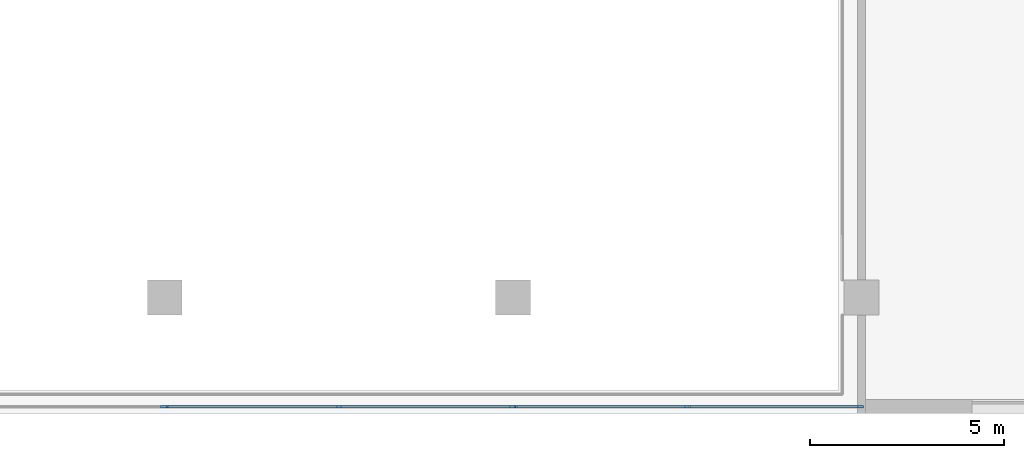
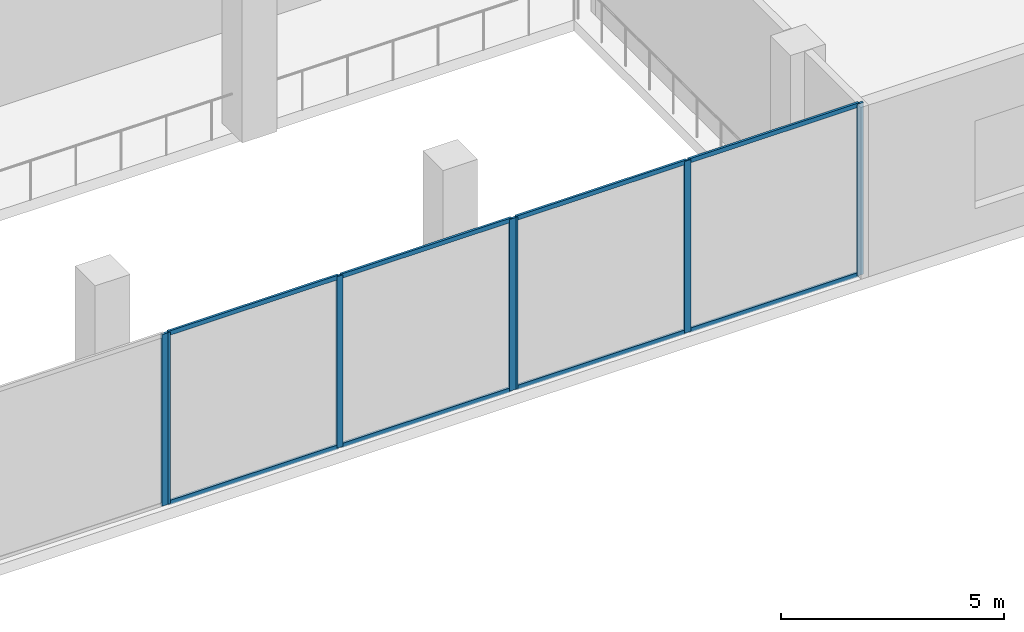
# One storey, part 4 of 23: 15 members, 3 elements without a shape of their own.
"""IFC4 building model written with IfcOpenShell, lengths in metres."""

from ifc_helpers import new_model, si_unit, direction, frame, origin, origin_2d, place, context, subcontext, project, spatial, rectangle, extrude, material, material_profile, profile_set, type_object, element, aggregate, save


model = new_model("IFC4")

# Units and contexts
model_context = context("Model", 3, precision=1e-05, world=origin(), true_north=direction((0.0, 1.0)))
body_context = subcontext(model_context, "Body", "Model", "MODEL_VIEW")
ifc_project = project(units=[si_unit("LENGTHUNIT", "METRE"), si_unit("AREAUNIT", "SQUARE_METRE"), si_unit("VOLUMEUNIT", "CUBIC_METRE"), si_unit("PLANEANGLEUNIT", "RADIAN"), si_unit("MASSUNIT", "GRAM", prefix="KILO")], contexts=[model_context])

# Site, building, storey
site_placement = place(None, origin())
site = spatial("IfcSite", under=ifc_project, at=site_placement, CompositionType="ELEMENT")
building_placement = place(site_placement, origin())
building = spatial("IfcBuilding", under=site, at=building_placement, Name="Cinnabar Reach Civic Tower", CompositionType="ELEMENT")
storey_placement = place(building_placement, frame((0.0, 0.0, 6.0)))
storey = spatial("IfcBuildingStorey", under=building, at=storey_placement, Name="L01", CompositionType="ELEMENT", Elevation=6.0)

# Curtain wall, member
ifc_material_1 = material(Name="Aluminium and clear double glazing", Category="aluminium")
curtain_wall_type = type_object("IfcCurtainWallType", Name="Hall front curtain wall", PredefinedType="NOTDEFINED", material=ifc_material_1)
curtain_wall_1_placement = place(storey_placement, origin())
curtain_wall_1 = element("IfcCurtainWall", 1, at=curtain_wall_1_placement, inside=storey, type_object=curtain_wall_type, Name="Hall front 3", PredefinedType="NOTDEFINED")
ifc_material_2 = material(Name="Aluminium", Category="aluminium")
ifc_material_profile_1 = material_profile(ifc_material_2, rectangle(XDim=0.06, YDim=0.16, at=origin_2d()), Name="Hall front mullion")
ifc_profile_set_1 = profile_set([ifc_material_profile_1], Name="Aluminium")
member_type_1 = type_object("IfcMemberType", Name="Hall front mullion", PredefinedType="MULLION", material=ifc_profile_set_1)
member_1_placement = place(storey_placement, frame((-18.03, -11.82, 0.0), z_axis=(0.0, 0.0, 1.0), x_axis=(0.0, 1.0, 0.0)))
member_1 = element("IfcMember", 2, at=member_1_placement, type_object=member_type_1, Name="CW-HALL-3 mullion 3", PredefinedType="MULLION", context=body_context, shape_type="SweptSolid", body=[
    extrude(rectangle(XDim=0.06, YDim=0.16, at=origin_2d()), origin(), (0.0, 0.0, 1.0), 4.7),
])
aggregate(curtain_wall_1, [member_1])

# Curtain wall, members
curtain_wall_2_placement = place(storey_placement, origin())
curtain_wall_2 = element("IfcCurtainWall", 3, at=curtain_wall_2_placement, inside=storey, type_object=curtain_wall_type, Name="Hall front 4", PredefinedType="NOTDEFINED")
member_2_placement = place(storey_placement, frame((-17.97, -11.82, 0.0), z_axis=(0.0, 0.0, 1.0), x_axis=(0.0, 1.0, 0.0)))
member_2 = element("IfcMember", 4, at=member_2_placement, type_object=member_type_1, Name="CW-HALL-4 mullion 1", PredefinedType="MULLION", context=body_context, shape_type="SweptSolid", body=[
    extrude(rectangle(XDim=0.06, YDim=0.16, at=origin_2d()), origin(), (0.0, 0.0, 1.0), 4.7),
])
member_3_placement = place(storey_placement, frame((-13.5, -11.82, 0.0), z_axis=(0.0, 0.0, 1.0), x_axis=(0.0, 1.0, 0.0)))
member_3 = element("IfcMember", 5, at=member_3_placement, type_object=member_type_1, Name="CW-HALL-4 mullion 2", PredefinedType="MULLION", context=body_context, shape_type="SweptSolid", body=[
    extrude(rectangle(XDim=0.06, YDim=0.16, at=origin_2d()), origin(), (0.0, 0.0, 1.0), 4.7),
])
member_4_placement = place(storey_placement, frame((-9.03, -11.82, 0.0), z_axis=(0.0, 0.0, 1.0), x_axis=(0.0, 1.0, 0.0)))
member_4 = element("IfcMember", 6, at=member_4_placement, type_object=member_type_1, Name="CW-HALL-4 mullion 3", PredefinedType="MULLION", context=body_context, shape_type="SweptSolid", body=[
    extrude(rectangle(XDim=0.06, YDim=0.16, at=origin_2d()), origin(), (0.0, 0.0, 1.0), 4.7),
])

curtain_wall_3_placement = place(storey_placement, origin())
curtain_wall_3 = element("IfcCurtainWall", 7, at=curtain_wall_3_placement, inside=storey, type_object=curtain_wall_type, Name="Hall front 5", PredefinedType="NOTDEFINED")
member_5_placement = place(storey_placement, frame((-8.97, -11.82, 0.0), z_axis=(0.0, 0.0, 1.0), x_axis=(0.0, 1.0, 0.0)))
member_5 = element("IfcMember", 8, at=member_5_placement, type_object=member_type_1, Name="CW-HALL-5 mullion 1", PredefinedType="MULLION", context=body_context, shape_type="SweptSolid", body=[
    extrude(rectangle(XDim=0.06, YDim=0.16, at=origin_2d()), origin(), (0.0, 0.0, 1.0), 4.7),
])
member_6_placement = place(storey_placement, frame((-4.5, -11.82, 0.0), z_axis=(0.0, 0.0, 1.0), x_axis=(0.0, 1.0, 0.0)))
member_6 = element("IfcMember", 9, at=member_6_placement, type_object=member_type_1, Name="CW-HALL-5 mullion 2", PredefinedType="MULLION", context=body_context, shape_type="SweptSolid", body=[
    extrude(rectangle(XDim=0.06, YDim=0.16, at=origin_2d()), origin(), (0.0, 0.0, 1.0), 4.7),
])
member_7_placement = place(storey_placement, frame((-0.03, -11.82, 0.0), z_axis=(0.0, 0.0, 1.0), x_axis=(0.0, 1.0, 0.0)))
member_7 = element("IfcMember", 10, at=member_7_placement, type_object=member_type_1, Name="CW-HALL-5 mullion 3", PredefinedType="MULLION", context=body_context, shape_type="SweptSolid", body=[
    extrude(rectangle(XDim=0.06, YDim=0.16, at=origin_2d()), origin(), (0.0, 0.0, 1.0), 4.7),
])

# Member
ifc_material_profile_2 = material_profile(ifc_material_2, rectangle(XDim=0.06, YDim=0.12, at=origin_2d()), Name="Hall front transom")
ifc_profile_set_2 = profile_set([ifc_material_profile_2], Name="Aluminium")
member_type_2 = type_object("IfcMemberType", Name="Hall front transom", PredefinedType="USERDEFINED", material=ifc_profile_set_2)
member_8_placement = place(storey_placement, frame((-17.94, -11.82, 0.03), z_axis=(1.0, 0.0, 0.0), x_axis=(0.0, 1.0, 0.0)))
member_8 = element("IfcMember", 11, at=member_8_placement, type_object=member_type_2, Name="CW-HALL-4 transom 1.1", ObjectType="TRANSOM", PredefinedType="USERDEFINED", context=body_context, shape_type="SweptSolid", body=[
    extrude(rectangle(XDim=0.06, YDim=0.12, at=origin_2d()), origin(), (0.0, 0.0, 1.0), 4.41),
])

member_9_placement = place(storey_placement, frame((-17.94, -11.82, 4.67), z_axis=(1.0, 0.0, 0.0), x_axis=(0.0, 1.0, 0.0)))
member_9 = element("IfcMember", 12, at=member_9_placement, type_object=member_type_2, Name="CW-HALL-4 transom 1.2", ObjectType="TRANSOM", PredefinedType="USERDEFINED", context=body_context, shape_type="SweptSolid", body=[
    extrude(rectangle(XDim=0.06, YDim=0.12, at=origin_2d()), origin(), (0.0, 0.0, 1.0), 4.41),
])

member_10_placement = place(storey_placement, frame((-13.47, -11.82, 0.03), z_axis=(1.0, 0.0, 0.0), x_axis=(0.0, 1.0, 0.0)))
member_10 = element("IfcMember", 13, at=member_10_placement, type_object=member_type_2, Name="CW-HALL-4 transom 2.1", ObjectType="TRANSOM", PredefinedType="USERDEFINED", context=body_context, shape_type="SweptSolid", body=[
    extrude(rectangle(XDim=0.06, YDim=0.12, at=origin_2d()), origin(), (0.0, 0.0, 1.0), 4.41),
])

member_11_placement = place(storey_placement, frame((-13.47, -11.82, 4.67), z_axis=(1.0, 0.0, 0.0), x_axis=(0.0, 1.0, 0.0)))
member_11 = element("IfcMember", 14, at=member_11_placement, type_object=member_type_2, Name="CW-HALL-4 transom 2.2", ObjectType="TRANSOM", PredefinedType="USERDEFINED", context=body_context, shape_type="SweptSolid", body=[
    extrude(rectangle(XDim=0.06, YDim=0.12, at=origin_2d()), origin(), (0.0, 0.0, 1.0), 4.41),
])

aggregate(curtain_wall_2, [member_2, member_3, member_4, member_8, member_9, member_10, member_11])

member_12_placement = place(storey_placement, frame((-8.94, -11.82, 0.03), z_axis=(1.0, 0.0, 0.0), x_axis=(0.0, 1.0, 0.0)))
member_12 = element("IfcMember", 15, at=member_12_placement, type_object=member_type_2, Name="CW-HALL-5 transom 1.1", ObjectType="TRANSOM", PredefinedType="USERDEFINED", context=body_context, shape_type="SweptSolid", body=[
    extrude(rectangle(XDim=0.06, YDim=0.12, at=origin_2d()), origin(), (0.0, 0.0, 1.0), 4.41),
])

member_13_placement = place(storey_placement, frame((-8.94, -11.82, 4.67), z_axis=(1.0, 0.0, 0.0), x_axis=(0.0, 1.0, 0.0)))
member_13 = element("IfcMember", 16, at=member_13_placement, type_object=member_type_2, Name="CW-HALL-5 transom 1.2", ObjectType="TRANSOM", PredefinedType="USERDEFINED", context=body_context, shape_type="SweptSolid", body=[
    extrude(rectangle(XDim=0.06, YDim=0.12, at=origin_2d()), origin(), (0.0, 0.0, 1.0), 4.41),
])

member_14_placement = place(storey_placement, frame((-4.47, -11.82, 0.03), z_axis=(1.0, 0.0, 0.0), x_axis=(0.0, 1.0, 0.0)))
member_14 = element("IfcMember", 17, at=member_14_placement, type_object=member_type_2, Name="CW-HALL-5 transom 2.1", ObjectType="TRANSOM", PredefinedType="USERDEFINED", context=body_context, shape_type="SweptSolid", body=[
    extrude(rectangle(XDim=0.06, YDim=0.12, at=origin_2d()), origin(), (0.0, 0.0, 1.0), 4.41),
])

member_15_placement = place(storey_placement, frame((-4.47, -11.82, 4.67), z_axis=(1.0, 0.0, 0.0), x_axis=(0.0, 1.0, 0.0)))
member_15 = element("IfcMember", 18, at=member_15_placement, type_object=member_type_2, Name="CW-HALL-5 transom 2.2", ObjectType="TRANSOM", PredefinedType="USERDEFINED", context=body_context, shape_type="SweptSolid", body=[
    extrude(rectangle(XDim=0.06, YDim=0.12, at=origin_2d()), origin(), (0.0, 0.0, 1.0), 4.41),
])

aggregate(curtain_wall_3, [member_5, member_6, member_7, member_12, member_13, member_14, member_15])

save(model, "model.ifc")
